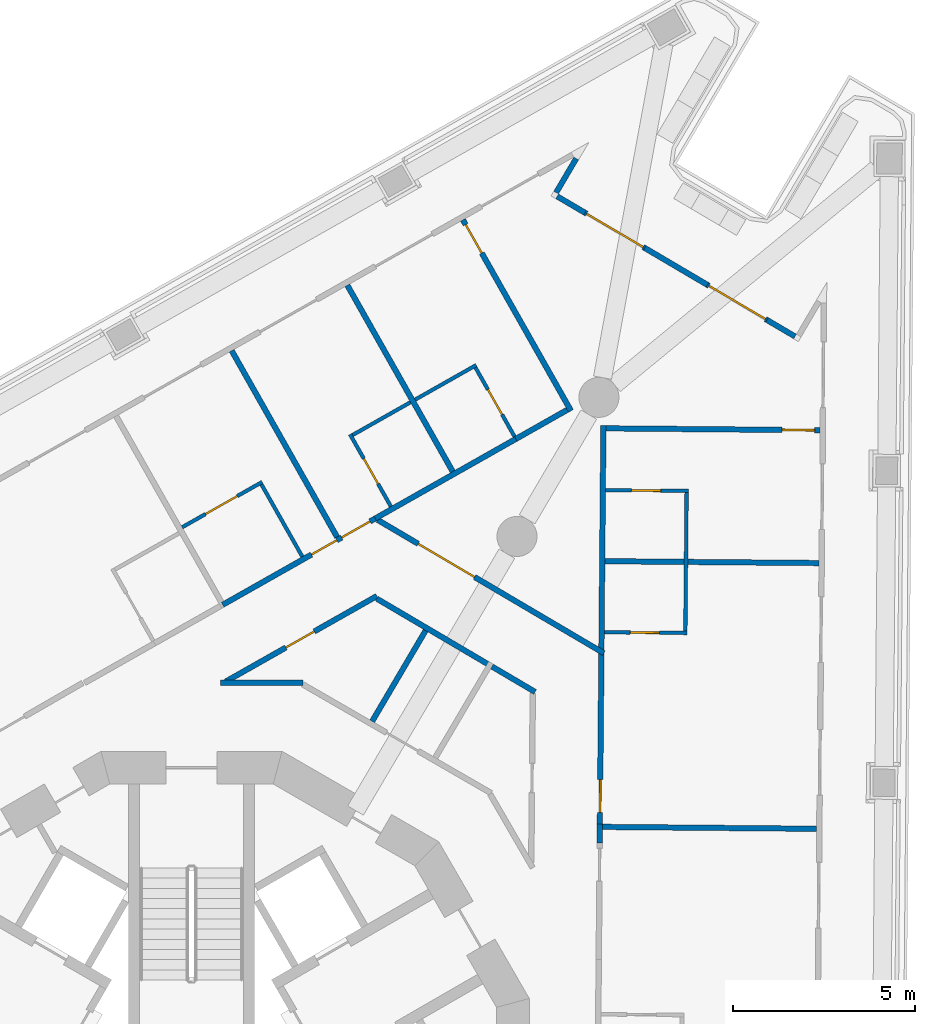
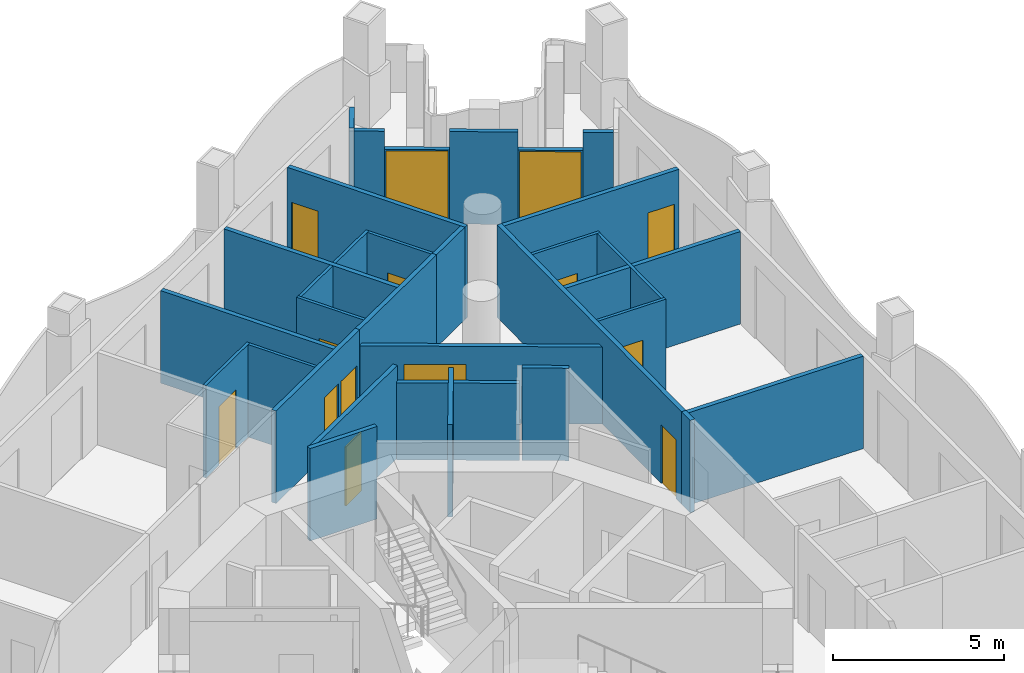
# One storey, part 9 of 17: 32 walls, 14 doors, 14 openings.
"""IFC4 building model written with IfcOpenShell, lengths in metres."""

from ifc_helpers import new_model, si_unit, direction, frame, frame_2d, origin, place, context, subcontext, project, spatial, polyline, rectangle, outline, extrude, material, layer, layer_set, type_object, element, fill, save


model = new_model("IFC4")

# Units and contexts
model_context = context("Model", 3, precision=1e-05, world=origin(), true_north=direction((0.0, 1.0)))
body_context = subcontext(model_context, "Body", "Model", "MODEL_VIEW")
ifc_project = project(units=[si_unit("LENGTHUNIT", "METRE"), si_unit("AREAUNIT", "SQUARE_METRE"), si_unit("VOLUMEUNIT", "CUBIC_METRE"), si_unit("PLANEANGLEUNIT", "RADIAN"), si_unit("MASSUNIT", "GRAM", prefix="KILO")], contexts=[model_context])

# Site, building, storey
site_placement = place(None, origin())
site = spatial("IfcSite", under=ifc_project, at=site_placement, CompositionType="ELEMENT")
building_placement = place(site_placement, origin())
building = spatial("IfcBuilding", under=site, at=building_placement, Name="Trine Commons Tower", CompositionType="ELEMENT")
storey_placement = place(building_placement, frame((0.0, 0.0, 182.699951171875)))
storey = spatial("IfcBuildingStorey", under=building, at=storey_placement, Name="L47", CompositionType="ELEMENT", Elevation=182.699951171875)

# Walls
ifc_material_1 = material(Name="Aluminium-framed insulated wall panel", Category="aluminium")
ifc_layer_1 = layer(ifc_material_1, 0.14990234375)
ifc_layer_set_1 = layer_set([ifc_layer_1], Name="Aluminium-framed insulated wall panel")
wall_type_1 = type_object("IfcWallType", Name="Glazed frame wall 150, EI 60", PredefinedType="SOLIDWALL", material=ifc_layer_set_1)
wall_1_placement = place(storey_placement, frame((90.63720703125, 88.173583984375, 0.0), z_axis=(0.0, 0.0, 1.0), x_axis=(-0.507591242276, -0.861598009958, 0.0)))
element("IfcWall", 1, at=wall_1_placement, inside=storey, type_object=wall_type_1, Name="Glazed frame wall R5", PredefinedType="SOLIDWALL", context=body_context, shape_type="SweptSolid", body=[
    extrude(outline(polyline([(0.1494140625, 0.074951171875), (0.1494140625, -0.074951171875), (1.235107421875, -0.074951171875), (1.235107421875, 0.074951171875), (0.1494140625, 0.074951171875)])), origin(), (0.0, 0.0, 1.0), 3.300048828125),
])
wall_2_placement = place(storey_placement, frame((89.9423828125, 87.062744140625, 0.0), z_axis=(0.0, 0.0, 1.0), x_axis=(0.861601384654, -0.50758551394, 0.0)))
element("IfcWall", 2, at=wall_2_placement, inside=storey, type_object=wall_type_1, Name="Glazed frame wall P2.1", PredefinedType="SOLIDWALL", context=body_context, shape_type="SweptSolid", body=[
    extrude(outline(polyline([(0.110107421875, -0.074951171875), (1.0, -0.074951171875), (1.0, 0.074951171875), (0.110107421875, 0.074951171875), (0.110107421875, -0.074951171875)])), origin(), (0.0, 0.0, 1.0), 3.300048828125),
])

# Wall, opening, door
wall_3_placement = place(storey_placement, frame((90.803955078125, 86.55517578125, 0.0), z_axis=(0.0, 0.0, 1.0), x_axis=(0.861603693734, -0.50758159437, 0.0)))
wall_3 = element("IfcWall", 3, at=wall_3_placement, inside=storey, type_object=wall_type_1, Name="Glazed frame wall P2.2", PredefinedType="SOLIDWALL", context=body_context, shape_type="SweptSolid", body=[
    extrude(outline(polyline([(0.0, -0.074951171875), (1.89990234375, -0.074951171875), (1.89990234375, 0.074951171875), (0.0, 0.074951171875), (0.0, -0.074951171875)])), origin(), (0.0, 0.0, 1.0), 2.650146484375),
])
opening_1_placement = place(wall_3_placement, frame((0.050048828125, 0.0, 0.0)))
opening_1 = element("IfcOpeningElement", 4, at=opening_1_placement, cuts=wall_3, Name="Opening BD-5P2-01", PredefinedType="OPENING", context=body_context, shape_type="SweptSolid", body=[
    extrude(rectangle(XDim=1.800048828125, YDim=2.60009765625, at=frame_2d((0.89990234375, 1.300048828125))), frame((0.0, 0.0849609375, 0.0), z_axis=(0.0, -1.0, 0.0), x_axis=(1.0, 0.0, 0.0)), (0.0, 0.0, 1.0), 0.169921875),
])
ifc_material_2 = material(Name="Anodised aluminium frame with double glazing", Category="aluminium")
door_type_1 = type_object("IfcDoorType", Name="Sliding loggia door 1800x2600", OperationType="SLIDING_TO_LEFT", PredefinedType="DOOR", material=ifc_material_2)
door_1_placement = place(opening_1_placement, origin())
door_1 = element("IfcDoor", 5, at=door_1_placement, inside=storey, type_object=door_type_1, Name="Loggia door P2 1", OperationType="SLIDING_TO_LEFT", OverallHeight=2.60009765625, OverallWidth=1.800048828125, PredefinedType="DOOR", context=body_context, shape_type="SweptSolid", body=[
    extrude(rectangle(XDim=1.800048828125, YDim=2.60009765625, at=frame_2d((0.89990234375, 1.300048828125))), frame((0.0, 0.02490234375, 0.0), z_axis=(0.0, -1.0, 0.0), x_axis=(1.0, 0.0, 0.0)), (0.0, 0.0, 1.0), 0.050048828125),
])
fill(opening_1, door_1)

# Wall
wall_4_placement = place(storey_placement, frame((92.44091796875, 85.5908203125, 0.0), z_axis=(0.0, 0.0, 1.0), x_axis=(0.861632831324, -0.507532130988, 0.0)))
element("IfcWall", 6, at=wall_4_placement, inside=storey, type_object=wall_type_1, Name="Glazed frame wall P2.3", PredefinedType="SOLIDWALL", context=body_context, shape_type="SweptSolid", body=[
    extrude(outline(polyline([(0.0, -0.074951171875), (2.0, -0.074951171875), (2.0, 0.074951171875), (0.0, 0.074951171875), (0.0, -0.074951171875)])), origin(), (0.0, 0.0, 1.0), 3.300048828125),
])

# Wall, opening, door
wall_5_placement = place(storey_placement, frame((94.164306640625, 84.57568359375, 0.0), z_axis=(0.0, 0.0, 1.0), x_axis=(0.86165989029, -0.507486190418, 0.0)))
wall_5 = element("IfcWall", 7, at=wall_5_placement, inside=storey, type_object=wall_type_1, Name="Glazed frame wall P2.4", PredefinedType="SOLIDWALL", context=body_context, shape_type="SweptSolid", body=[
    extrude(outline(polyline([(0.0, -0.074951171875), (1.89990234375, -0.074951171875), (1.89990234375, 0.074951171875), (0.0, 0.074951171875), (0.0, -0.074951171875)])), origin(), (0.0, 0.0, 1.0), 2.650146484375),
])
opening_2_placement = place(wall_5_placement, frame((0.050048828125, 0.0, 0.0)))
opening_2 = element("IfcOpeningElement", 8, at=opening_2_placement, cuts=wall_5, Name="Opening BD-5P2-02", PredefinedType="OPENING", context=body_context, shape_type="SweptSolid", body=[
    extrude(rectangle(XDim=1.800048828125, YDim=2.60009765625, at=frame_2d((0.89990234375, 1.300048828125))), frame((0.0, 0.0849609375, 0.0), z_axis=(0.0, -1.0, 0.0), x_axis=(1.0, 0.0, 0.0)), (0.0, 0.0, 1.0), 0.169921875),
])
door_2_placement = place(opening_2_placement, origin())
door_2 = element("IfcDoor", 9, at=door_2_placement, inside=storey, type_object=door_type_1, Name="Loggia door P2 2", OperationType="SLIDING_TO_LEFT", OverallHeight=2.60009765625, OverallWidth=1.800048828125, PredefinedType="DOOR", context=body_context, shape_type="SweptSolid", body=[
    extrude(rectangle(XDim=1.800048828125, YDim=2.60009765625, at=frame_2d((0.89990234375, 1.300048828125))), frame((0.0, 0.02490234375, 0.0), z_axis=(0.0, -1.0, 0.0), x_axis=(1.0, 0.0, 0.0)), (0.0, 0.0, 1.0), 0.050048828125),
])
fill(opening_2, door_2)

# Wall
wall_6_placement = place(storey_placement, frame((95.80126953125, 83.611572265625, 0.0), z_axis=(0.0, 0.0, 1.0), x_axis=(0.861664268073, -0.507478757315, 0.0)))
element("IfcWall", 10, at=wall_6_placement, inside=storey, type_object=wall_type_1, Name="Glazed frame wall P2.5", PredefinedType="SOLIDWALL", context=body_context, shape_type="SweptSolid", body=[
    extrude(outline(polyline([(0.889892578125, 0.074951171875), (0.0, 0.074951171875), (0.0, -0.074951171875), (0.889892578125, -0.074951171875), (0.889892578125, 0.074951171875)])), origin(), (0.0, 0.0, 1.0), 3.300048828125),
])

# Wall, openings, doors
ifc_material_3 = material(Name="Gypsum plasterboard on steel stud", Category="steel")
ifc_layer_2 = layer(ifc_material_3, 0.14990234375)
ifc_layer_set_2 = layer_set([ifc_layer_2], Name="Gypsum plasterboard on steel stud")
wall_type_2 = type_object("IfcWallType", Name="Unit and corridor wall 150 mm, EI 60", PredefinedType="PARTITIONING", material=ifc_layer_set_2)
wall_7_placement = place(storey_placement, frame((80.85595703125, 75.79296875, 0.0), z_axis=(0.0, 0.0, 1.0), x_axis=(0.870296246949, 0.492528621043, 0.0)))
wall_7 = element("IfcWall", 11, at=wall_7_placement, inside=storey, type_object=wall_type_2, Name="Partition 060", PredefinedType="PARTITIONING", context=body_context, shape_type="SweptSolid", body=[
    extrude(rectangle(XDim=4.812255859375, YDim=0.14990234375, at=frame_2d((2.40625, 0.0))), origin(), (0.0, 0.0, 1.0), 3.300048828125),
])
opening_3_placement = place(wall_7_placement, frame((2.800537109375, 0.0, 0.0)))
opening_3 = element("IfcOpeningElement", 12, at=opening_3_placement, cuts=wall_7, Name="Opening D-5C11", PredefinedType="OPENING", context=body_context, shape_type="SweptSolid", body=[
    extrude(rectangle(XDim=0.800048828125, YDim=2.10009765625, at=frame_2d((0.39990234375, 1.050048828125))), frame((0.0, 0.0849609375, 0.0), z_axis=(0.0, -1.0, 0.0), x_axis=(1.0, 0.0, 0.0)), (0.0, 0.0, 1.0), 0.169921875),
])
opening_4_placement = place(wall_7_placement, frame((3.75048828125, 0.0, 0.0)))
opening_4 = element("IfcOpeningElement", 13, at=opening_4_placement, cuts=wall_7, Name="Opening D-5C12", PredefinedType="OPENING", context=body_context, shape_type="SweptSolid", body=[
    extrude(rectangle(XDim=0.89990234375, YDim=2.10009765625, at=frame_2d((0.449951171875, 1.050048828125))), frame((0.0, 0.0849609375, 0.0), z_axis=(0.0, -1.0, 0.0), x_axis=(1.0, 0.0, 0.0)), (0.0, 0.0, 1.0), 0.169921875),
])
ifc_material_4 = material(Name="Timber fire door set", Category="wood")
door_type_2 = type_object("IfcDoorType", Name="Bedroom door 800 x 2100, FD30S", OperationType="NOTDEFINED", PredefinedType="DOOR", material=ifc_material_4)
door_3_placement = place(opening_3_placement, origin())
door_3 = element("IfcDoor", 14, at=door_3_placement, inside=storey, type_object=door_type_2, Name="Door D-5C11", OperationType="SINGLE_SWING_RIGHT", OverallHeight=2.10009765625, OverallWidth=0.800048828125, PredefinedType="DOOR", context=body_context, shape_type="SweptSolid", body=[
    extrude(rectangle(XDim=0.800048828125, YDim=2.10009765625, at=frame_2d((0.39990234375, 1.050048828125))), frame((0.0, 0.02490234375, 0.0), z_axis=(0.0, -1.0, 0.0), x_axis=(1.0, 0.0, 0.0)), (0.0, 0.0, 1.0), 0.050048828125),
])
fill(opening_3, door_3)
door_type_3 = type_object("IfcDoorType", Name="Bedroom door 900 x 2100, FD30S", OperationType="NOTDEFINED", PredefinedType="DOOR", material=ifc_material_4)
door_4_placement = place(opening_4_placement, origin())
door_4 = element("IfcDoor", 15, at=door_4_placement, inside=storey, type_object=door_type_3, Name="Door D-5C12", OperationType="SINGLE_SWING_RIGHT", OverallHeight=2.10009765625, OverallWidth=0.89990234375, PredefinedType="DOOR", context=body_context, shape_type="SweptSolid", body=[
    extrude(rectangle(XDim=0.89990234375, YDim=2.10009765625, at=frame_2d((0.449951171875, 1.050048828125))), frame((0.0, 0.02490234375, 0.0), z_axis=(0.0, -1.0, 0.0), x_axis=(1.0, 0.0, 0.0)), (0.0, 0.0, 1.0), 0.050048828125),
])
fill(opening_4, door_4)

# Wall
wall_8_placement = place(storey_placement, frame((80.79296875, 73.64794921875, 0.0), z_axis=(0.0, 0.0, 1.0), x_axis=(1.0, 0.0, 0.0)))
element("IfcWall", 16, at=wall_8_placement, inside=storey, type_object=wall_type_2, Name="Partition 061", PredefinedType="PARTITIONING", context=body_context, shape_type="SweptSolid", body=[
    extrude(rectangle(XDim=2.26904296875, YDim=0.14990234375, at=frame_2d((1.134521484375, 0.0))), origin(), (0.0, 0.0, 1.0), 3.300048828125),
])

# Wall, opening, door
wall_9_placement = place(storey_placement, frame((80.937255859375, 73.684814453125, 0.0), z_axis=(0.0, 0.0, 1.0), x_axis=(0.870319748897, 0.492487090876, 0.0)))
wall_9 = element("IfcWall", 17, at=wall_9_placement, inside=storey, type_object=wall_type_2, Name="Partition 062", PredefinedType="PARTITIONING", context=body_context, shape_type="SweptSolid", body=[
    extrude(rectangle(XDim=4.77197265625, YDim=0.14990234375, at=frame_2d((2.385986328125, 0.0))), origin(), (0.0, 0.0, 1.0), 3.300048828125),
])
opening_5_placement = place(wall_9_placement, frame((1.8984375, 0.0, 0.0)))
opening_5 = element("IfcOpeningElement", 18, at=opening_5_placement, cuts=wall_9, Name="Opening D-5C30", PredefinedType="OPENING", context=body_context, shape_type="SweptSolid", body=[
    extrude(rectangle(XDim=0.89990234375, YDim=2.10009765625, at=frame_2d((0.449951171875, 1.050048828125))), frame((0.0, 0.0849609375, 0.0), z_axis=(0.0, -1.0, 0.0), x_axis=(1.0, 0.0, 0.0)), (0.0, 0.0, 1.0), 0.169921875),
])
door_type_4 = type_object("IfcDoorType", Name="Service door 900 x 2100, FD30S", OperationType="NOTDEFINED", PredefinedType="DOOR", material=ifc_material_4)
door_5_placement = place(opening_5_placement, frame((0.89990234375, 0.0, 0.0), z_axis=(0.0, 0.0, 1.0), x_axis=(-1.0, 0.0, 0.0)))
door_5 = element("IfcDoor", 19, at=door_5_placement, inside=storey, type_object=door_type_4, Name="Door D-5C30", OperationType="SINGLE_SWING_RIGHT", OverallHeight=2.10009765625, OverallWidth=0.89990234375, PredefinedType="DOOR", context=body_context, shape_type="SweptSolid", body=[
    extrude(rectangle(XDim=0.89990234375, YDim=2.10009765625, at=frame_2d((0.449951171875, 1.050048828125))), frame((0.0, 0.02490234375, 0.0), z_axis=(0.0, -1.0, 0.0), x_axis=(1.0, 0.0, 0.0)), (0.0, 0.0, 1.0), 0.050048828125),
])
fill(opening_5, door_5)

# Walls
wall_10_placement = place(storey_placement, frame((81.103759765625, 82.769287109375, 0.0), z_axis=(0.0, 0.0, 1.0), x_axis=(0.492361245758, -0.870390948756, 0.0)))
element("IfcWall", 20, at=wall_10_placement, inside=storey, type_object=wall_type_2, Name="Partition 063", PredefinedType="PARTITIONING", context=body_context, shape_type="SweptSolid", body=[
    extrude(rectangle(XDim=5.87451171875, YDim=0.14990234375, at=frame_2d((2.937255859375, 0.0))), origin(), (0.0, 0.0, 1.0), 3.300048828125),
])
wall_11_placement = place(storey_placement, frame((84.27880859375, 84.565185546875, 0.0), z_axis=(0.0, 0.0, 1.0), x_axis=(0.4923790567, -0.870380873252, 0.0)))
element("IfcWall", 21, at=wall_11_placement, inside=storey, type_object=wall_type_2, Name="Partition 074", PredefinedType="PARTITIONING", context=body_context, shape_type="SweptSolid", body=[
    extrude(rectangle(XDim=5.874267578125, YDim=0.14990234375, at=frame_2d((2.93701171875, 0.0))), origin(), (0.0, 0.0, 1.0), 3.300048828125),
])
wall_12_placement = place(storey_placement, frame((84.960205078125, 72.595703125, 0.0), z_axis=(0.0, 0.0, 1.0), x_axis=(0.507595999699, 0.861595207212, 0.0)))
element("IfcWall", 22, at=wall_12_placement, inside=storey, type_object=wall_type_2, Name="Partition 080", PredefinedType="PARTITIONING", context=body_context, shape_type="SweptSolid", body=[
    extrude(rectangle(XDim=2.8896484375, YDim=0.14990234375, at=frame_2d((1.44482421875, 0.0))), origin(), (0.0, 0.0, 1.0), 3.300048828125),
])
wall_13_placement = place(storey_placement, frame((85.089599609375, 75.9599609375, 0.0), z_axis=(0.0, 0.0, 1.0), x_axis=(0.861618447689, -0.507556549166, 0.0)))
element("IfcWall", 23, at=wall_13_placement, inside=storey, type_object=wall_type_2, Name="Partition 081", PredefinedType="PARTITIONING", context=body_context, shape_type="SweptSolid", body=[
    extrude(rectangle(XDim=3.599365234375, YDim=0.14990234375, at=frame_2d((1.7998046875, 0.0))), origin(), (0.0, 0.0, 1.0), 2.75),
])
wall_14_placement = place(storey_placement, frame((85.0439453125, 78.1630859375, 0.0), z_axis=(0.0, 0.0, 1.0), x_axis=(0.870383507411, 0.492374400256, 0.0)))
element("IfcWall", 24, at=wall_14_placement, inside=storey, type_object=wall_type_2, Name="Partition 082", PredefinedType="PARTITIONING", context=body_context, shape_type="SweptSolid", body=[
    extrude(rectangle(XDim=4.4892578125, YDim=0.14990234375, at=frame_2d((2.24462890625, 0.0))), origin(), (0.0, 0.0, 1.0), 3.300048828125),
])

# Wall, opening, door
wall_15_placement = place(storey_placement, frame((85.108642578125, 78.125, 0.0), z_axis=(0.0, 0.0, 1.0), x_axis=(0.861578679129, -0.507624053479, 0.0)))
wall_15 = element("IfcWall", 25, at=wall_15_placement, inside=storey, type_object=wall_type_2, Name="Partition 083", PredefinedType="PARTITIONING", context=body_context, shape_type="SweptSolid", body=[
    extrude(rectangle(XDim=7.20654296875, YDim=0.14990234375, at=frame_2d((3.603271484375, 0.0))), origin(), (0.0, 0.0, 1.0), 2.75),
])
opening_6_placement = place(wall_15_placement, frame((1.29296875, 0.0, 0.0)))
opening_6 = element("IfcOpeningElement", 26, at=opening_6_placement, cuts=wall_15, Name="Opening D-5C01", PredefinedType="OPENING", context=body_context, shape_type="SweptSolid", body=[
    extrude(rectangle(XDim=1.800048828125, YDim=2.10009765625, at=frame_2d((0.89990234375, 1.050048828125))), frame((0.0, 0.0849609375, 0.0), z_axis=(0.0, -1.0, 0.0), x_axis=(1.0, 0.0, 0.0)), (0.0, 0.0, 1.0), 0.169921875),
])
door_type_5 = type_object("IfcDoorType", Name="Cluster entrance door 1800 x 2100, double leaf, FD30S", OperationType="DOUBLE_DOOR_DOUBLE_SWING", PredefinedType="DOOR", material=ifc_material_4)
door_6_placement = place(opening_6_placement, origin())
door_6 = element("IfcDoor", 27, at=door_6_placement, inside=storey, type_object=door_type_5, Name="Door D-5C01", OperationType="DOUBLE_DOOR_DOUBLE_SWING", OverallHeight=2.10009765625, OverallWidth=1.800048828125, PredefinedType="DOOR", context=body_context, shape_type="SweptSolid", body=[
    extrude(rectangle(XDim=1.800048828125, YDim=2.10009765625, at=frame_2d((0.89990234375, 1.050048828125))), frame((0.0, 0.02490234375, 0.0), z_axis=(0.0, -1.0, 0.0), x_axis=(1.0, 0.0, 0.0)), (0.0, 0.0, 1.0), 0.050048828125),
])
fill(opening_6, door_6)

wall_16_placement = place(storey_placement, frame((87.45263671875, 86.361083984375, 0.0), z_axis=(0.0, 0.0, 1.0), x_axis=(0.492389730591, -0.870374834889, 0.0)))
wall_16 = element("IfcWall", 28, at=wall_16_placement, inside=storey, type_object=wall_type_2, Name="Partition 091", PredefinedType="PARTITIONING", context=body_context, shape_type="SweptSolid", body=[
    extrude(rectangle(XDim=6.0244140625, YDim=0.14990234375, at=frame_2d((3.01220703125, 0.0))), origin(), (0.0, 0.0, 1.0), 3.300048828125),
])
opening_7_placement = place(wall_16_placement, frame((0.14990234375, 0.0, 0.0)))
opening_7 = element("IfcOpeningElement", 29, at=opening_7_placement, cuts=wall_16, Name="Opening D-5C13", PredefinedType="OPENING", context=body_context, shape_type="SweptSolid", body=[
    extrude(rectangle(XDim=0.89990234375, YDim=2.10009765625, at=frame_2d((0.449951171875, 1.050048828125))), frame((0.0, 0.0849609375, 0.0), z_axis=(0.0, -1.0, 0.0), x_axis=(1.0, 0.0, 0.0)), (0.0, 0.0, 1.0), 0.169921875),
])
door_7_placement = place(opening_7_placement, frame((0.89990234375, 0.0, 0.0), z_axis=(0.0, 0.0, 1.0), x_axis=(-1.0, 0.0, 0.0)))
door_7 = element("IfcDoor", 30, at=door_7_placement, inside=storey, type_object=door_type_3, Name="Door D-5C13", OperationType="SINGLE_SWING_RIGHT", OverallHeight=2.10009765625, OverallWidth=0.89990234375, PredefinedType="DOOR", context=body_context, shape_type="SweptSolid", body=[
    extrude(rectangle(XDim=0.89990234375, YDim=2.10009765625, at=frame_2d((0.449951171875, 1.050048828125))), frame((0.0, 0.02490234375, 0.0), z_axis=(0.0, -1.0, 0.0), x_axis=(1.0, 0.0, 0.0)), (0.0, 0.0, 1.0), 0.050048828125),
])
fill(opening_7, door_7)

# Walls
wall_17_placement = place(storey_placement, frame((88.24951171875, 74.098876953125, 0.0), z_axis=(0.0, 0.0, 1.0), x_axis=(0.861463535888, -0.507819432805, 0.0)))
element("IfcWall", 31, at=wall_17_placement, inside=storey, type_object=wall_type_2, Name="Partition 096", PredefinedType="PARTITIONING", context=body_context, shape_type="SweptSolid", body=[
    extrude(rectangle(XDim=1.37451171875, YDim=0.14990234375, at=frame_2d((0.687255859375, 0.0))), origin(), (0.0, 0.0, 1.0), 3.300048828125),
])
wall_18_placement = place(storey_placement, frame((88.902099609375, 80.344970703125, 0.0), z_axis=(0.0, 0.0, 1.0), x_axis=(0.870168163768, 0.492754874927, 0.0)))
element("IfcWall", 32, at=wall_18_placement, inside=storey, type_object=wall_type_2, Name="Partition 098", PredefinedType="PARTITIONING", context=body_context, shape_type="SweptSolid", body=[
    extrude(rectangle(XDim=1.62548828125, YDim=0.14990234375, at=frame_2d((0.812744140625, 0.0))), origin(), (0.0, 0.0, 1.0), 3.300048828125),
])
wall_19_placement = place(storey_placement, frame((91.20703125, 69.259033203125, 0.0), z_axis=(0.0, 0.0, 1.0), x_axis=(0.008974603128, 0.999959727438, 0.0)))
element("IfcWall", 33, at=wall_19_placement, inside=storey, type_object=wall_type_2, Name="Partition 120", PredefinedType="PARTITIONING", context=body_context, shape_type="SweptSolid", body=[
    extrude(rectangle(XDim=0.516845703125, YDim=0.14990234375, at=frame_2d((0.25830078125, 0.0))), origin(), (0.0, 0.0, 1.0), 3.300048828125),
])

# Wall, opening, door
wall_20_placement = place(storey_placement, frame((91.2109375, 69.693115234375, 0.0), z_axis=(0.0, 0.0, 1.0), x_axis=(0.008772952582, 0.999961516911, 0.0)))
wall_20 = element("IfcWall", 34, at=wall_20_placement, inside=storey, type_object=wall_type_2, Name="Partition 121", PredefinedType="PARTITIONING", context=body_context, shape_type="SweptSolid", body=[
    extrude(rectangle(XDim=11.020263671875, YDim=0.14990234375, at=frame_2d((5.51025390625, 0.0))), origin(), (0.0, 0.0, 1.0), 3.300048828125),
])
opening_8_placement = place(wall_20_placement, frame((0.398681640625, 0.0, 0.0)))
opening_8 = element("IfcOpeningElement", 35, at=opening_8_placement, cuts=wall_20, Name="Opening D-5C15", PredefinedType="OPENING", context=body_context, shape_type="SweptSolid", body=[
    extrude(rectangle(XDim=0.89990234375, YDim=2.10009765625, at=frame_2d((0.449951171875, 1.050048828125))), frame((0.0, 0.0849609375, 0.0), z_axis=(0.0, -1.0, 0.0), x_axis=(1.0, 0.0, 0.0)), (0.0, 0.0, 1.0), 0.169921875),
])
door_8_placement = place(opening_8_placement, frame((0.89990234375, 0.0, 0.0), z_axis=(0.0, 0.0, 1.0), x_axis=(-1.0, 0.0, 0.0)))
door_8 = element("IfcDoor", 36, at=door_8_placement, inside=storey, type_object=door_type_3, Name="Door D-5C15", OperationType="SINGLE_SWING_RIGHT", OverallHeight=2.10009765625, OverallWidth=0.89990234375, PredefinedType="DOOR", context=body_context, shape_type="SweptSolid", body=[
    extrude(rectangle(XDim=0.89990234375, YDim=2.10009765625, at=frame_2d((0.449951171875, 1.050048828125))), frame((0.0, 0.02490234375, 0.0), z_axis=(0.0, -1.0, 0.0), x_axis=(1.0, 0.0, 0.0)), (0.0, 0.0, 1.0), 0.050048828125),
])
fill(opening_8, door_8)

# Walls
wall_21_placement = place(storey_placement, frame((91.285888671875, 69.6962890625, 0.0), z_axis=(0.0, 0.0, 1.0), x_axis=(0.999960828694, -0.008851049556, 0.0)))
element("IfcWall", 37, at=wall_21_placement, inside=storey, type_object=wall_type_2, Name="Partition 122", PredefinedType="PARTITIONING", context=body_context, shape_type="SweptSolid", body=[
    extrude(rectangle(XDim=5.875244140625, YDim=0.14990234375, at=frame_2d((2.9375, 0.0))), origin(), (0.0, 0.0, 1.0), 3.300048828125),
])
wall_22_placement = place(storey_placement, frame((91.35009765625, 76.990234375, 0.0), z_axis=(0.0, 0.0, 1.0), x_axis=(0.999962273479, -0.008686289076, 0.0)))
element("IfcWall", 38, at=wall_22_placement, inside=storey, type_object=wall_type_2, Name="Partition 125", PredefinedType="PARTITIONING", context=body_context, shape_type="SweptSolid", body=[
    extrude(rectangle(XDim=5.874267578125, YDim=0.14990234375, at=frame_2d((2.93701171875, 0.0))), origin(), (0.0, 0.0, 1.0), 3.300048828125),
])

# Wall, opening, door
wall_23_placement = place(storey_placement, frame((91.382080078125, 80.63720703125, 0.0), z_axis=(0.0, 0.0, 1.0), x_axis=(0.999962273479, -0.008686289076, 0.0)))
wall_23 = element("IfcWall", 39, at=wall_23_placement, inside=storey, type_object=wall_type_2, Name="Partition 127", PredefinedType="PARTITIONING", context=body_context, shape_type="SweptSolid", body=[
    extrude(rectangle(XDim=5.874267578125, YDim=0.14990234375, at=frame_2d((2.93701171875, 0.0))), origin(), (0.0, 0.0, 1.0), 3.300048828125),
])
opening_9_placement = place(wall_23_placement, frame((4.82421875, 0.0, 0.0)))
opening_9 = element("IfcOpeningElement", 40, at=opening_9_placement, cuts=wall_23, Name="Opening D-5C14", PredefinedType="OPENING", context=body_context, shape_type="SweptSolid", body=[
    extrude(rectangle(XDim=0.89990234375, YDim=2.10009765625, at=frame_2d((0.449951171875, 1.050048828125))), frame((0.0, 0.0849609375, 0.0), z_axis=(0.0, -1.0, 0.0), x_axis=(1.0, 0.0, 0.0)), (0.0, 0.0, 1.0), 0.169921875),
])
door_9_placement = place(opening_9_placement, frame((0.89990234375, 0.0, 0.0), z_axis=(0.0, 0.0, 1.0), x_axis=(-1.0, 0.0, 0.0)))
door_9 = element("IfcDoor", 41, at=door_9_placement, inside=storey, type_object=door_type_3, Name="Door D-5C14", OperationType="SINGLE_SWING_LEFT", OverallHeight=2.10009765625, OverallWidth=0.89990234375, PredefinedType="DOOR", context=body_context, shape_type="SweptSolid", body=[
    extrude(rectangle(XDim=0.89990234375, YDim=2.10009765625, at=frame_2d((0.449951171875, 1.050048828125))), frame((0.0, 0.02490234375, 0.0), z_axis=(0.0, -1.0, 0.0), x_axis=(1.0, 0.0, 0.0)), (0.0, 0.0, 1.0), 0.050048828125),
])
fill(opening_9, door_9)

ifc_layer_3 = layer(ifc_material_3, 0.10009765625)
ifc_layer_set_3 = layer_set([ifc_layer_3], Name="Gypsum plasterboard on steel stud")
wall_type_3 = type_object("IfcWallType", Name="Unit partition 100 mm, no rating", PredefinedType="PARTITIONING", material=ifc_layer_set_3)
wall_24_placement = place(storey_placement, frame((79.7421875, 77.9208984375, 0.0), z_axis=(0.0, 0.0, 1.0), x_axis=(0.870364731179, 0.49240759003, 0.0)))
wall_24 = element("IfcWall", 42, at=wall_24_placement, inside=storey, type_object=wall_type_3, Name="Partition 055", PredefinedType="PARTITIONING", context=body_context, shape_type="SweptSolid", body=[
    extrude(rectangle(XDim=2.525634765625, YDim=0.10009765625, at=frame_2d((1.2626953125, 0.0))), origin(), (0.0, 0.0, 1.0), 3.300048828125),
])
opening_10_placement = place(wall_24_placement, frame((0.73779296875, 0.0, 0.0)))
opening_10 = element("IfcOpeningElement", 43, at=opening_10_placement, cuts=wall_24, Name="Opening D-5C37", PredefinedType="OPENING", context=body_context, shape_type="SweptSolid", body=[
    extrude(rectangle(XDim=1.0, YDim=2.10009765625, at=frame_2d((0.5, 1.050048828125))), frame((0.0, 0.06005859375, 0.0), z_axis=(0.0, -1.0, 0.0), x_axis=(1.0, 0.0, 0.0)), (0.0, 0.0, 1.0), 0.1201171875),
])
ifc_material_5 = material(Name="Painted timber", Category="wood")
door_type_6 = type_object("IfcDoorType", Name="Internal door 1000 x 2100, NOT RATED", OperationType="NOTDEFINED", PredefinedType="DOOR", material=ifc_material_5)
door_10_placement = place(opening_10_placement, origin())
door_10 = element("IfcDoor", 44, at=door_10_placement, inside=storey, type_object=door_type_6, Name="Door D-5C37", OperationType="SINGLE_SWING_LEFT", OverallHeight=2.10009765625, OverallWidth=1.0, PredefinedType="DOOR", context=body_context, shape_type="SweptSolid", body=[
    extrude(rectangle(XDim=1.0, YDim=2.10009765625, at=frame_2d((0.5, 1.050048828125))), frame((0.0, 0.02490234375, 0.0), z_axis=(0.0, -1.0, 0.0), x_axis=(1.0, 0.0, 0.0)), (0.0, 0.0, 1.0), 0.050048828125),
])
fill(opening_10, door_10)

# Wall
wall_25_placement = place(storey_placement, frame((81.921630859375, 79.096435546875, 0.0), z_axis=(0.0, 0.0, 1.0), x_axis=(0.492424941649, -0.870354914298, 0.0)))
element("IfcWall", 45, at=wall_25_placement, inside=storey, type_object=wall_type_3, Name="Partition 065", PredefinedType="PARTITIONING", context=body_context, shape_type="SweptSolid", body=[
    extrude(rectangle(XDim=2.275146484375, YDim=0.10009765625, at=frame_2d((1.1376953125, 0.0))), origin(), (0.0, 0.0, 1.0), 3.300048828125),
])

# Wall, opening, door
wall_26_placement = place(storey_placement, frame((84.353515625, 80.471435546875, 0.0), z_axis=(0.0, 0.0, 1.0), x_axis=(0.492690247552, -0.870204757495, 0.0)))
wall_26 = element("IfcWall", 46, at=wall_26_placement, inside=storey, type_object=wall_type_3, Name="Partition 075", PredefinedType="PARTITIONING", context=body_context, shape_type="SweptSolid", body=[
    extrude(rectangle(XDim=2.2744140625, YDim=0.10009765625, at=frame_2d((1.13720703125, 0.0))), origin(), (0.0, 0.0, 1.0), 3.300048828125),
])
opening_11_placement = place(wall_26_placement, frame((0.76220703125, 0.0, 0.0)))
opening_11 = element("IfcOpeningElement", 47, at=opening_11_placement, cuts=wall_26, Name="Opening D-5C38", PredefinedType="OPENING", context=body_context, shape_type="SweptSolid", body=[
    extrude(rectangle(XDim=0.800048828125, YDim=2.10009765625, at=frame_2d((0.39990234375, 1.050048828125))), frame((0.0, 0.06005859375, 0.0), z_axis=(0.0, -1.0, 0.0), x_axis=(1.0, 0.0, 0.0)), (0.0, 0.0, 1.0), 0.1201171875),
])
door_type_7 = type_object("IfcDoorType", Name="Internal door 800 x 2100, NOT RATED", OperationType="NOTDEFINED", PredefinedType="DOOR", material=ifc_material_5)
door_11_placement = place(opening_11_placement, frame((0.800048828125, 0.0, 0.0), z_axis=(0.0, 0.0, 1.0), x_axis=(-1.0, 0.0, 0.0)))
door_11 = element("IfcDoor", 48, at=door_11_placement, inside=storey, type_object=door_type_7, Name="Door D-5C38", OperationType="SINGLE_SWING_LEFT", OverallHeight=2.10009765625, OverallWidth=0.800048828125, PredefinedType="DOOR", context=body_context, shape_type="SweptSolid", body=[
    extrude(rectangle(XDim=0.800048828125, YDim=2.10009765625, at=frame_2d((0.39990234375, 1.050048828125))), frame((0.0, 0.02490234375, 0.0), z_axis=(0.0, -1.0, 0.0), x_axis=(1.0, 0.0, 0.0)), (0.0, 0.0, 1.0), 0.050048828125),
])
fill(opening_11, door_11)

# Walls
wall_27_placement = place(storey_placement, frame((84.42138671875, 80.45263671875, 0.0), z_axis=(0.0, 0.0, 1.0), x_axis=(0.870178952447, 0.492735822443, 0.0)))
element("IfcWall", 49, at=wall_27_placement, inside=storey, type_object=wall_type_3, Name="Partition 076", PredefinedType="PARTITIONING", context=body_context, shape_type="SweptSolid", body=[
    extrude(rectangle(XDim=1.825439453125, YDim=0.10009765625, at=frame_2d((0.91259765625, 0.0))), origin(), (0.0, 0.0, 1.0), 3.300048828125),
])
wall_28_placement = place(storey_placement, frame((86.140380859375, 81.42578125, 0.0), z_axis=(0.0, 0.0, 1.0), x_axis=(0.870343029739, 0.492445946866, 0.0)))
element("IfcWall", 50, at=wall_28_placement, inside=storey, type_object=wall_type_3, Name="Partition 087", PredefinedType="PARTITIONING", context=body_context, shape_type="SweptSolid", body=[
    extrude(rectangle(XDim=1.924560546875, YDim=0.10009765625, at=frame_2d((0.96240234375, 0.0))), origin(), (0.0, 0.0, 1.0), 3.300048828125),
])

# Wall, opening, door
wall_29_placement = place(storey_placement, frame((87.796630859375, 82.305419921875, 0.0), z_axis=(0.0, 0.0, 1.0), x_axis=(0.492593408535, -0.870259578441, 0.0)))
wall_29 = element("IfcWall", 51, at=wall_29_placement, inside=storey, type_object=wall_type_3, Name="Partition 092", PredefinedType="PARTITIONING", context=body_context, shape_type="SweptSolid", body=[
    extrude(rectangle(XDim=2.17529296875, YDim=0.10009765625, at=frame_2d((1.087646484375, 0.0))), origin(), (0.0, 0.0, 1.0), 3.300048828125),
])
opening_12_placement = place(wall_29_placement, frame((0.6875, 0.0, 0.0)))
opening_12 = element("IfcOpeningElement", 52, at=opening_12_placement, cuts=wall_29, Name="Opening D-5C39", PredefinedType="OPENING", context=body_context, shape_type="SweptSolid", body=[
    extrude(rectangle(XDim=0.800048828125, YDim=2.10009765625, at=frame_2d((0.39990234375, 1.050048828125))), frame((0.0, 0.06005859375, 0.0), z_axis=(0.0, -1.0, 0.0), x_axis=(1.0, 0.0, 0.0)), (0.0, 0.0, 1.0), 0.1201171875),
])
door_12_placement = place(opening_12_placement, origin())
door_12 = element("IfcDoor", 53, at=door_12_placement, inside=storey, type_object=door_type_7, Name="Door D-5C39", OperationType="SINGLE_SWING_LEFT", OverallHeight=2.10009765625, OverallWidth=0.800048828125, PredefinedType="DOOR", context=body_context, shape_type="SweptSolid", body=[
    extrude(rectangle(XDim=0.800048828125, YDim=2.10009765625, at=frame_2d((0.39990234375, 1.050048828125))), frame((0.0, 0.02490234375, 0.0), z_axis=(0.0, -1.0, 0.0), x_axis=(1.0, 0.0, 0.0)), (0.0, 0.0, 1.0), 0.050048828125),
])
fill(opening_12, door_12)

wall_30_placement = place(storey_placement, frame((91.3330078125, 75.040283203125, 0.0), z_axis=(0.0, 0.0, 1.0), x_axis=(0.999962219299, -0.008692524121, 0.0)))
wall_30 = element("IfcWall", 54, at=wall_30_placement, inside=storey, type_object=wall_type_3, Name="Partition 124", PredefinedType="PARTITIONING", context=body_context, shape_type="SweptSolid", body=[
    extrude(rectangle(XDim=2.27490234375, YDim=0.10009765625, at=frame_2d((1.137451171875, 0.0))), origin(), (0.0, 0.0, 1.0), 3.300048828125),
])
opening_13_placement = place(wall_30_placement, frame((0.71240234375, 0.0, 0.0)))
opening_13 = element("IfcOpeningElement", 55, at=opening_13_placement, cuts=wall_30, Name="Opening D-5C41", PredefinedType="OPENING", context=body_context, shape_type="SweptSolid", body=[
    extrude(rectangle(XDim=0.800048828125, YDim=2.10009765625, at=frame_2d((0.39990234375, 1.050048828125))), frame((0.0, 0.06005859375, 0.0), z_axis=(0.0, -1.0, 0.0), x_axis=(1.0, 0.0, 0.0)), (0.0, 0.0, 1.0), 0.1201171875),
])
door_13_placement = place(opening_13_placement, frame((0.800048828125, 0.0, 0.0), z_axis=(0.0, 0.0, 1.0), x_axis=(-1.0, 0.0, 0.0)))
door_13 = element("IfcDoor", 56, at=door_13_placement, inside=storey, type_object=door_type_7, Name="Door D-5C41", OperationType="SINGLE_SWING_RIGHT", OverallHeight=2.10009765625, OverallWidth=0.800048828125, PredefinedType="DOOR", context=body_context, shape_type="SweptSolid", body=[
    extrude(rectangle(XDim=0.800048828125, YDim=2.10009765625, at=frame_2d((0.39990234375, 1.050048828125))), frame((0.0, 0.02490234375, 0.0), z_axis=(0.0, -1.0, 0.0), x_axis=(1.0, 0.0, 0.0)), (0.0, 0.0, 1.0), 0.050048828125),
])
fill(opening_13, door_13)

wall_31_placement = place(storey_placement, frame((91.366943359375, 78.940185546875, 0.0), z_axis=(0.0, 0.0, 1.0), x_axis=(0.999963154254, -0.008584295776, 0.0)))
wall_31 = element("IfcWall", 57, at=wall_31_placement, inside=storey, type_object=wall_type_3, Name="Partition 126", PredefinedType="PARTITIONING", context=body_context, shape_type="SweptSolid", body=[
    extrude(rectangle(XDim=2.275146484375, YDim=0.10009765625, at=frame_2d((1.1376953125, 0.0))), origin(), (0.0, 0.0, 1.0), 3.300048828125),
])
opening_14_placement = place(wall_31_placement, frame((0.71240234375, 0.0, 0.0)))
opening_14 = element("IfcOpeningElement", 58, at=opening_14_placement, cuts=wall_31, Name="Opening D-5C40", PredefinedType="OPENING", context=body_context, shape_type="SweptSolid", body=[
    extrude(rectangle(XDim=0.800048828125, YDim=2.10009765625, at=frame_2d((0.39990234375, 1.050048828125))), frame((0.0, 0.06005859375, 0.0), z_axis=(0.0, -1.0, 0.0), x_axis=(1.0, 0.0, 0.0)), (0.0, 0.0, 1.0), 0.1201171875),
])
door_14_placement = place(opening_14_placement, origin())
door_14 = element("IfcDoor", 59, at=door_14_placement, inside=storey, type_object=door_type_7, Name="Door D-5C40", OperationType="SINGLE_SWING_LEFT", OverallHeight=2.10009765625, OverallWidth=0.800048828125, PredefinedType="DOOR", context=body_context, shape_type="SweptSolid", body=[
    extrude(rectangle(XDim=0.800048828125, YDim=2.10009765625, at=frame_2d((0.39990234375, 1.050048828125))), frame((0.0, 0.02490234375, 0.0), z_axis=(0.0, -1.0, 0.0), x_axis=(1.0, 0.0, 0.0)), (0.0, 0.0, 1.0), 0.050048828125),
])
fill(opening_14, door_14)

# Wall
wall_32_placement = place(storey_placement, frame((93.558349609375, 75.071044921875, 0.0), z_axis=(0.0, 0.0, 1.0), x_axis=(0.008737218686, 0.999961829776, 0.0)))
element("IfcWall", 60, at=wall_32_placement, inside=storey, type_object=wall_type_3, Name="Partition 134", PredefinedType="PARTITIONING", context=body_context, shape_type="SweptSolid", body=[
    extrude(rectangle(XDim=3.80029296875, YDim=0.10009765625, at=frame_2d((1.900146484375, 0.0))), origin(), (0.0, 0.0, 1.0), 3.300048828125),
])

save(model, "model.ifc")
